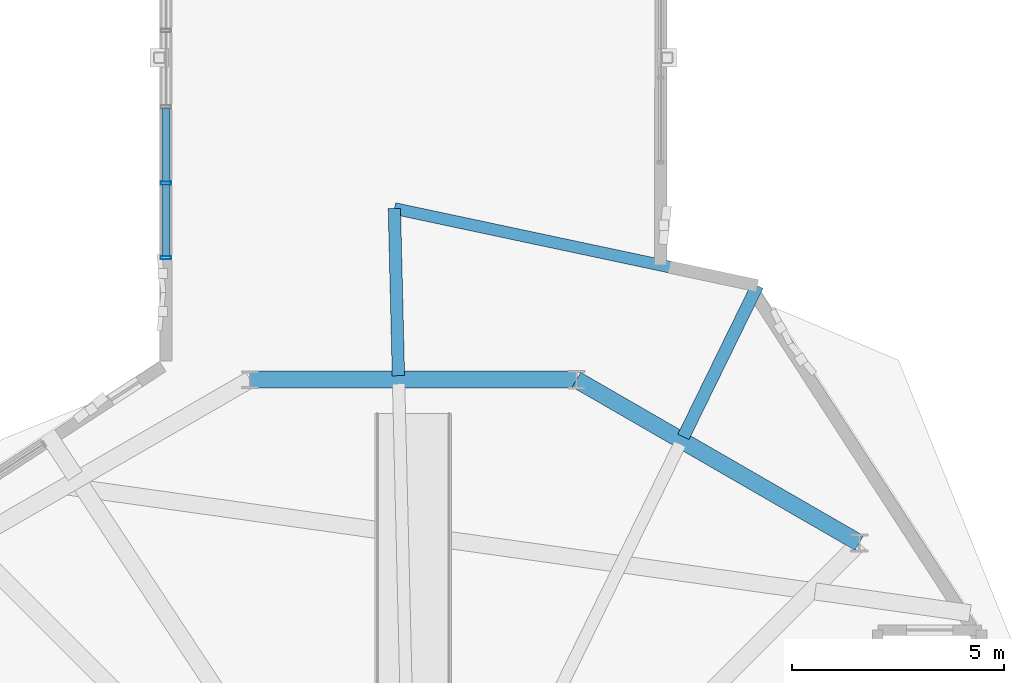
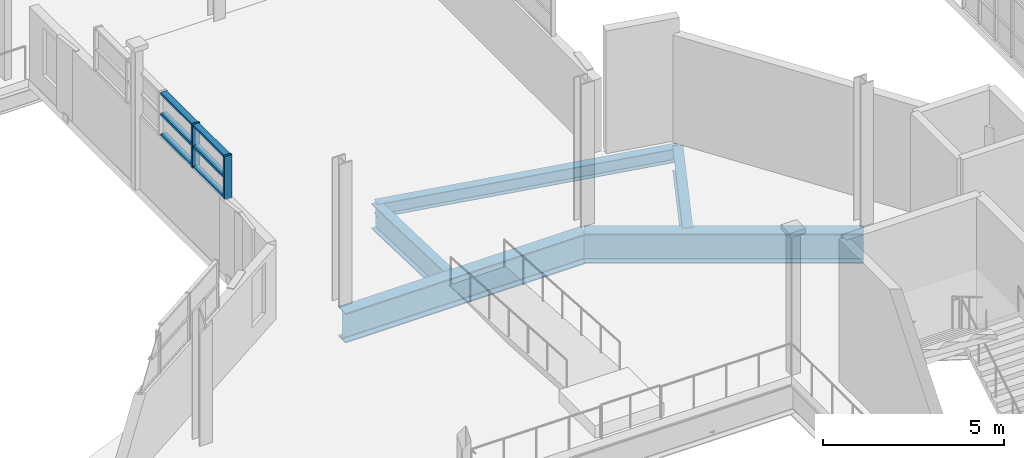
# One storey, part 41 of 118: 8 members, 5 beams, 1 element without a shape of its own.
"""IFC4 building model written with IfcOpenShell, lengths in metres."""

import ifcopenshell
import ifcopenshell.guid

model = None  # the IFC model being written
_history = None  # IfcOwnerHistory: only IFC2X3 demands one
_inside = {}  # id of a spatial element -> (the spatial element, [elements in it])
_under = {}  # id of a project, library or spatial element -> (it, [spatial elements below it])
_declared = {}  # id of a project -> (the project, [libraries it declares])
_typed = {}  # id of a type object -> (the type object, [elements of that type])
_made_of = {}  # id of a material, layer set ... -> (it, [elements and type objects made of it])


def new_model(schema):
    """Start an empty IFC model of exactly this schema.

    Asked for "IFC4X3", IfcOpenShell would pick the latest addendum, in which some entities
    have other attributes; the version numbers below select the first issue.
    IFC2X3 requires an IfcOwnerHistory on every rooted entity: one is made here for all.
    """
    global model, _history
    if schema == "IFC4X3":
        model = ifcopenshell.file(schema_version=(4, 3, 0, 0))
    else:
        model = ifcopenshell.file(schema=schema)
    _inside.clear()
    _under.clear()
    _declared.clear()
    _typed.clear()
    _made_of.clear()
    _history = None
    if model.schema == "IFC2X3":
        org = make("IfcOrganization", Name="unknown")
        user = make(
            "IfcPersonAndOrganization",
            ThePerson=make("IfcPerson", FamilyName="unknown"),
            TheOrganization=org,
        )
        app = make(
            "IfcApplication",
            ApplicationDeveloper=org,
            Version="unknown",
            ApplicationFullName="unknown",
            ApplicationIdentifier="unknown",
        )
        _history = make(
            "IfcOwnerHistory",
            OwningUser=user,
            OwningApplication=app,
            ChangeAction="ADDED",
            CreationDate=0,
        )
    return model


def make(cls, **values):
    """One entity of the class cls with the attributes given. An attribute that is None is left unset."""
    return model.create_entity(
        cls, **{name: value for name, value in values.items() if value is not None}
    )


def rooted(cls, **values):
    """An entity with a GlobalId (a new one), such as an element, a storey or a relation."""
    return make(cls, GlobalId=ifcopenshell.guid.new(), OwnerHistory=_history, **values)


def si_unit(unit_type, name, prefix=None):
    """IfcSIUnit, for example si_unit("LENGTHUNIT", "METRE", prefix="MILLI")."""
    return make("IfcSIUnit", UnitType=unit_type, Prefix=prefix, Name=name)


def assignment(units):
    """IfcUnitAssignment: the units of a project."""
    return None if units is None else make("IfcUnitAssignment", Units=units)


def point(xyz):
    """IfcCartesianPoint."""
    return None if xyz is None else make("IfcCartesianPoint", Coordinates=xyz)


def direction(xyz):
    """IfcDirection."""
    return None if xyz is None else make("IfcDirection", DirectionRatios=xyz)


def frame(location, z_axis=None, x_axis=None):
    """IfcAxis2Placement3D, a coordinate frame: its origin and axes. An axis left out is left unset."""
    return make(
        "IfcAxis2Placement3D",
        Location=point(location),
        Axis=direction(z_axis),
        RefDirection=direction(x_axis),
    )


def frame_2d(location, x_axis=None):
    """IfcAxis2Placement2D, a coordinate frame in the plane: its origin and x axis."""
    return make(
        "IfcAxis2Placement2D", Location=point(location), RefDirection=direction(x_axis)
    )


def origin():
    """The frame at (0, 0, 0) with its axes left unset."""
    return frame((0.0, 0.0, 0.0))


def origin_2d():
    """The frame at (0, 0) in the plane with its x axis left unset."""
    return frame_2d((0.0, 0.0))


def place(relative_to, where):
    """IfcLocalPlacement: puts the frame where relative to a parent placement (None: the world)."""
    return make(
        "IfcLocalPlacement", PlacementRelTo=relative_to, RelativePlacement=where
    )


def context(
    kind, dimensions, precision=None, world=None, true_north=None, identifier=None
):
    """IfcGeometricRepresentationContext, for example the 3D "Model" context."""
    return make(
        "IfcGeometricRepresentationContext",
        ContextIdentifier=identifier,
        ContextType=kind,
        CoordinateSpaceDimension=dimensions,
        Precision=precision,
        WorldCoordinateSystem=world,
        TrueNorth=true_north,
    )


def subcontext(parent, identifier, kind, view, scale=None):
    """IfcGeometricRepresentationSubContext, for example "Body" below "Model"."""
    return make(
        "IfcGeometricRepresentationSubContext",
        ContextIdentifier=identifier,
        ContextType=kind,
        ParentContext=parent,
        TargetScale=scale,
        TargetView=view,
    )


def project(units=None, contexts=None):
    """IfcProject with its units and contexts."""
    return rooted(
        "IfcProject",
        Name="project",
        RepresentationContexts=contexts,
        UnitsInContext=assignment(units),
    )


def spatial(cls, under=None, at=None, **own):
    """A site, building, storey or space (cls), placed at a placement, below another one or the project."""
    s = rooted(cls, ObjectPlacement=at, **own)
    if under is not None:
        _under.setdefault(under.id(), (under, []))[1].append(s)
    return s


def profile(cls, at=None, kind="AREA", **sizes):
    """A parametric profile (cls). Its sizes go by their IFC names, for example OverallWidth=200.0."""
    return make(cls, ProfileType=kind, Position=at, **sizes)


def hollow_rectangle(**sizes):
    """IfcRectangleHollowProfileDef."""
    return profile("IfcRectangleHollowProfileDef", **sizes)


def i_section(**sizes):
    """IfcIShapeProfileDef."""
    return profile("IfcIShapeProfileDef", **sizes)


def extrude(swept, where, along, depth):
    """IfcExtrudedAreaSolid: the profile swept, set in the frame where, extruded along a direction by depth."""
    return make(
        "IfcExtrudedAreaSolid",
        SweptArea=swept,
        Position=where,
        ExtrudedDirection=direction(along),
        Depth=depth,
    )


def shape(context_of_items, identifier, shape_type, items):
    """IfcShapeRepresentation: the items that make up one representation, for example the "Body"."""
    return make(
        "IfcShapeRepresentation",
        ContextOfItems=context_of_items,
        RepresentationIdentifier=identifier,
        RepresentationType=shape_type,
        Items=items,
    )


def material(Name=None, Category=None):
    """IfcMaterial."""
    return make("IfcMaterial", Name=Name, Category=Category)


def layer(
    of_material, thickness, ventilated=None, Name=None, Category=None, Priority=None
):
    """IfcMaterialLayer: one layer of a wall or slab, of a material (None: an air gap)."""
    return make(
        "IfcMaterialLayer",
        Material=of_material,
        LayerThickness=thickness,
        IsVentilated=ventilated,
        Name=Name,
        Category=Category,
        Priority=Priority,
    )


def layer_set(layers, Name=None):
    """IfcMaterialLayerSet."""
    return make("IfcMaterialLayerSet", MaterialLayers=layers, LayerSetName=Name)


def material_profile(
    of_material, cross_section, Name=None, Category=None, Priority=None
):
    """IfcMaterialProfile: a cross section and its material."""
    return make(
        "IfcMaterialProfile",
        Name=Name,
        Material=of_material,
        Profile=cross_section,
        Priority=Priority,
        Category=Category,
    )


def profile_set(profiles, Name=None, composite=None):
    """IfcMaterialProfileSet."""
    return make(
        "IfcMaterialProfileSet",
        Name=Name,
        MaterialProfiles=profiles,
        CompositeProfile=composite,
    )


def made_of(thing, what):
    """Note that an element or type object is made of a material, layer set ...; save() writes the relation."""
    if what is not None:
        _made_of.setdefault(what.id(), (what, []))[1].append(thing)
    return thing


def type_object(cls, material=None, **own):
    """A type object (cls), such as IfcWallType, which elements share."""
    return made_of(rooted(cls, **own), material)


def element(
    cls,
    number,
    at=None,
    inside=None,
    cuts=None,
    type_object=None,
    material=None,
    context=None,
    identifier="Body",
    shape_type=None,
    held_by="IfcProductDefinitionShape",
    body=None,
    shapes=None,
    **own,
):
    """One element of the class cls, such as IfcWall. Its Tag is "e" and its number.

    at: its placement. inside: the storey or other place that contains it. cuts: it is an
    opening in that element (IfcRelVoidsElement). A single representation is given by context,
    identifier, shape_type and body (its items); several are given by shapes. held_by: the class
    of the entity that holds the representations. save() writes the other relations.
    """
    e = rooted(cls, Tag="e%d" % number, ObjectPlacement=at, **own)
    if body is not None:
        shapes = [shape(context, identifier, shape_type, body)]
    if shapes is not None:
        e.Representation = make(held_by, Representations=shapes)
    if inside is not None:
        _inside.setdefault(inside.id(), (inside, []))[1].append(e)
    if cuts is not None:
        rooted(
            "IfcRelVoidsElement", RelatingBuildingElement=cuts, RelatedOpeningElement=e
        )
    if type_object is not None:
        _typed.setdefault(type_object.id(), (type_object, []))[1].append(e)
    return made_of(e, material)


def aggregate(whole, parts):
    """IfcRelAggregates: a whole, such as a stair, and the parts it consists of."""
    return rooted("IfcRelAggregates", RelatingObject=whole, RelatedObjects=parts)


def save(model, path):
    """Write the relations noted so far, then the file.

    IfcRelAggregates (storeys below a building ...), IfcRelContainedInSpatialStructure (elements
    in a storey), IfcRelDefinesByType, IfcRelAssociatesMaterial and IfcRelDeclares: one each for
    every whole, place, type object, material and project.
    """
    for whole, parts in _under.values():
        aggregate(whole, parts)
    for where, things in _inside.values():
        rooted(
            "IfcRelContainedInSpatialStructure",
            RelatedElements=things,
            RelatingStructure=where,
        )
    for kind, things in _typed.values():
        rooted("IfcRelDefinesByType", RelatedObjects=things, RelatingType=kind)
    for what, things in _made_of.values():
        rooted("IfcRelAssociatesMaterial", RelatedObjects=things, RelatingMaterial=what)
    for by, libraries in _declared.values():
        rooted("IfcRelDeclares", RelatingContext=by, RelatedDefinitions=libraries)
    model.write(path)


model = new_model("IFC4")

# Units and contexts
model_context = context("Model", 3, precision=1e-05, world=origin(), true_north=direction((0.0, 1.0)))
body_context = subcontext(model_context, "Body", "Model", "MODEL_VIEW")
ifc_project = project(units=[si_unit("LENGTHUNIT", "METRE"), si_unit("AREAUNIT", "SQUARE_METRE"), si_unit("VOLUMEUNIT", "CUBIC_METRE"), si_unit("PLANEANGLEUNIT", "RADIAN"), si_unit("MASSUNIT", "GRAM", prefix="KILO"), si_unit("THERMODYNAMICTEMPERATUREUNIT", "KELVIN"), si_unit("POWERUNIT", "WATT")], contexts=[model_context])

# Site, building, storey
site_placement = place(None, origin())
site = spatial("IfcSite", under=ifc_project, at=site_placement, CompositionType="ELEMENT")
building_placement = place(site_placement, origin())
building = spatial("IfcBuilding", under=site, at=building_placement, Name="Zelmaris Science Centre", CompositionType="ELEMENT")
storey_placement = place(building_placement, frame((0.0, 0.0, 15.60009765625)))
storey = spatial("IfcBuildingStorey", under=building, at=storey_placement, Name="L03", CompositionType="ELEMENT", Elevation=15.60009765625)

# Curtain wall, members
ifc_material_1 = material(Name="Anodised architectural aluminium 6063-T6", Category="aluminium")
ifc_layer = layer(ifc_material_1, 0.18994140625, Name="Anodised architectural aluminium 6063-T6")
ifc_layer_set = layer_set([ifc_layer], Name="Anodised architectural aluminium 6063-T6")
curtain_wall_type = type_object("IfcCurtainWallType", Name="Curtain Wall CW-01", PredefinedType="USERDEFINED", material=ifc_layer_set)
curtain_wall_placement = place(storey_placement, origin())
curtain_wall = element("IfcCurtainWall", 1, at=curtain_wall_placement, inside=storey, type_object=curtain_wall_type, Name="L03 Clerestory curtain wall 317", ObjectType="GLAZED CURTAIN WALL", PredefinedType="USERDEFINED")
ifc_material_profile_1 = material_profile(ifc_material_1, hollow_rectangle(XDim=0.080078125, YDim=0.25, WallThickness=0.0048828125, at=origin_2d()), Name="ALU-MUL-80X250")
ifc_profile_set_1 = profile_set([ifc_material_profile_1], Name="Anodised architectural aluminium 6063-T6")
member_type_1 = type_object("IfcMemberType", Name="ALU-MUL-80X250", PredefinedType="MULLION", material=ifc_profile_set_1)
member_1_placement = place(storey_placement, frame((75.1552734375, 53.275146484375, 2.419921875), z_axis=(0.0, 0.0, 1.0), x_axis=(8.726646e-06, 0.999999999962, 0.0)))
member_1 = element("IfcMember", 2, at=member_1_placement, type_object=member_type_1, Name="CW-01 mullion 1", PredefinedType="MULLION", context=body_context, shape_type="SweptSolid", body=[
    extrude(hollow_rectangle(XDim=0.080078125, YDim=0.25, WallThickness=0.0048828125, at=origin_2d()), origin(), (0.0, 0.0, 1.0), 1.470947265625),
])
member_2_placement = place(storey_placement, frame((75.1552734375, 55.0390625, 2.419921875), z_axis=(0.0, 0.0, 1.0), x_axis=(8.726646e-06, 0.999999999962, 0.0)))
member_2 = element("IfcMember", 3, at=member_2_placement, type_object=member_type_1, Name="CW-01 mullion 2", PredefinedType="MULLION", context=body_context, shape_type="SweptSolid", body=[
    extrude(hollow_rectangle(XDim=0.080078125, YDim=0.25, WallThickness=0.0048828125, at=origin_2d()), origin(), (0.0, 0.0, 1.0), 1.470947265625),
])
ifc_material_profile_2 = material_profile(ifc_material_1, hollow_rectangle(XDim=0.080078125, YDim=0.18994140625, WallThickness=0.00439453125, at=origin_2d()), Name="ALU-TRN-80X190")
ifc_profile_set_2 = profile_set([ifc_material_profile_2], Name="Anodised architectural aluminium 6063-T6")
member_type_2 = type_object("IfcMemberType", Name="ALU-TRN-80X190", PredefinedType="USERDEFINED", material=ifc_profile_set_2)
member_3_placement = place(storey_placement, frame((75.1552734375, 53.31103515625, 2.455810546875), z_axis=(0.0, 1.0, 0.0), x_axis=(0.0, 0.0, 1.0)))
member_3 = element("IfcMember", 4, at=member_3_placement, type_object=member_type_2, Name="CW-01 transom 1.1", ObjectType="TRANSOM", PredefinedType="USERDEFINED", context=body_context, shape_type="SweptSolid", body=[
    extrude(hollow_rectangle(XDim=0.080078125, YDim=0.18994140625, WallThickness=0.00439453125, at=origin_2d()), origin(), (0.0, 0.0, 1.0), 1.692138671875),
])
member_4_placement = place(storey_placement, frame((75.1552734375, 53.31103515625, 3.155517578125), z_axis=(0.0, 1.0, 0.0), x_axis=(0.0, 0.0, 1.0)))
member_4 = element("IfcMember", 5, at=member_4_placement, type_object=member_type_2, Name="CW-01 transom 1.2", ObjectType="TRANSOM", PredefinedType="USERDEFINED", context=body_context, shape_type="SweptSolid", body=[
    extrude(hollow_rectangle(XDim=0.080078125, YDim=0.18994140625, WallThickness=0.00439453125, at=origin_2d()), origin(), (0.0, 0.0, 1.0), 1.692138671875),
])
member_5_placement = place(storey_placement, frame((75.1552734375, 53.31103515625, 3.85498046875), z_axis=(0.0, 1.0, 0.0), x_axis=(0.0, 0.0, 1.0)))
member_5 = element("IfcMember", 6, at=member_5_placement, type_object=member_type_2, Name="CW-01 transom 1.3", ObjectType="TRANSOM", PredefinedType="USERDEFINED", context=body_context, shape_type="SweptSolid", body=[
    extrude(hollow_rectangle(XDim=0.080078125, YDim=0.18994140625, WallThickness=0.00439453125, at=origin_2d()), origin(), (0.0, 0.0, 1.0), 1.692138671875),
])
member_6_placement = place(storey_placement, frame((75.1552734375, 55.0751953125, 2.455810546875), z_axis=(0.0, 1.0, 0.0), x_axis=(0.0, 0.0, 1.0)))
member_6 = element("IfcMember", 7, at=member_6_placement, type_object=member_type_2, Name="CW-01 transom 2.1", ObjectType="TRANSOM", PredefinedType="USERDEFINED", context=body_context, shape_type="SweptSolid", body=[
    extrude(hollow_rectangle(XDim=0.080078125, YDim=0.18994140625, WallThickness=0.00439453125, at=origin_2d()), origin(), (0.0, 0.0, 1.0), 1.727783203125),
])
member_7_placement = place(storey_placement, frame((75.1552734375, 55.0751953125, 3.155517578125), z_axis=(0.0, 1.0, 0.0), x_axis=(0.0, 0.0, 1.0)))
member_7 = element("IfcMember", 8, at=member_7_placement, type_object=member_type_2, Name="CW-01 transom 2.2", ObjectType="TRANSOM", PredefinedType="USERDEFINED", context=body_context, shape_type="SweptSolid", body=[
    extrude(hollow_rectangle(XDim=0.080078125, YDim=0.18994140625, WallThickness=0.00439453125, at=origin_2d()), origin(), (0.0, 0.0, 1.0), 1.727783203125),
])
member_8_placement = place(storey_placement, frame((75.1552734375, 55.0751953125, 3.85498046875), z_axis=(0.0, 1.0, 0.0), x_axis=(0.0, 0.0, 1.0)))
member_8 = element("IfcMember", 9, at=member_8_placement, type_object=member_type_2, Name="CW-01 transom 2.3", ObjectType="TRANSOM", PredefinedType="USERDEFINED", context=body_context, shape_type="SweptSolid", body=[
    extrude(hollow_rectangle(XDim=0.080078125, YDim=0.18994140625, WallThickness=0.00439453125, at=origin_2d()), origin(), (0.0, 0.0, 1.0), 1.727783203125),
])
aggregate(curtain_wall, [member_1, member_2, member_3, member_4, member_5, member_6, member_7, member_8])

# Beams
ifc_material_2 = material(Name="Steel ASTM A992 Grade 50", Category="steel")
ifc_material_profile_3 = material_profile(ifc_material_2, i_section(OverallWidth=0.294921875, OverallDepth=0.85107421875, WebThickness=0.01611328125, FlangeThickness=0.02685546875, FilletRadius=0.02001953125, at=origin_2d()), Name="W33X152")
ifc_profile_set_3 = profile_set([ifc_material_profile_3], Name="Steel ASTM A992 Grade 50")
beam_type_1 = type_object("IfcBeamType", Name="Beam G-06 W33X152", PredefinedType="BEAM", material=ifc_profile_set_3)
beam_1_placement = place(storey_placement, frame((87.38330078125, 49.042724609375, -0.70556640625), z_axis=(0.439558134561, 0.898214142809, 0.0), x_axis=(-0.898214142809, 0.439558134561, 0.0)))
element("IfcBeam", 10, at=beam_1_placement, inside=storey, type_object=beam_type_1, Name="L03 Radial overhang girder 6", PredefinedType="BEAM", context=body_context, shape_type="SweptSolid", body=[
    extrude(i_section(OverallWidth=0.294921875, OverallDepth=0.85107421875, WebThickness=0.01611328125, FlangeThickness=0.02685546875, FilletRadius=0.02001953125, at=origin_2d()), origin(), (0.0, 0.0, 1.0), 3.975830078125),
])
ifc_material_profile_4 = material_profile(ifc_material_2, i_section(OverallWidth=0.40087890625, OverallDepth=1.0009765625, WebThickness=0.01904296875, FlangeThickness=0.0361328125, FilletRadius=0.02490234375, at=origin_2d()), Name="W40X249")
ifc_profile_set_4 = profile_set([ifc_material_profile_4], Name="Steel ASTM A992 Grade 50")
beam_type_2 = type_object("IfcBeamType", Name="Beam G-22 W40X249", PredefinedType="BEAM", material=ifc_profile_set_4)
for number, where, z_axis, x_axis, name in (
    (11, (91.535888671875, 46.535888671875, -0.780517578125), (-0.866021648359, 0.500006504531, 0.0), (-0.500006504531, -0.866021648359, 0.0), "L03 Exhibition inner ring girder 2"),
    (12, (84.8564453125, 50.392333984375, -0.780517578125), (-1.0, 0.0, 0.0), (0.0, -1.0, 0.0), "L03 Exhibition inner ring girder 3"),
):
    element("IfcBeam", number, at=place(storey_placement, frame(where, z_axis=z_axis, x_axis=x_axis)), inside=storey, type_object=beam_type_2, Name=name, PredefinedType="BEAM", context=body_context, shape_type="SweptSolid", body=[
        extrude(i_section(OverallWidth=0.40087890625, OverallDepth=1.0009765625, WebThickness=0.01904296875, FlangeThickness=0.0361328125, FilletRadius=0.02490234375, at=origin_2d()), origin(), (0.0, 0.0, 1.0), 7.712890625),
    ])
ifc_material_profile_5 = material_profile(ifc_material_2, i_section(OverallWidth=0.2919921875, OverallDepth=0.85888671875, WebThickness=0.01708984375, FlangeThickness=0.031005859375, FilletRadius=0.02001953125, at=origin_2d()), Name="W33X169")
ifc_profile_set_5 = profile_set([ifc_material_profile_5], Name="Steel ASTM A992 Grade 50")
beam_type_3 = type_object("IfcBeamType", Name="Beam G-29 W33X169", PredefinedType="BEAM", material=ifc_profile_set_5)
beam_2_placement = place(storey_placement, frame((80.649658203125, 50.4873046875, -0.709716796875), z_axis=(-0.024163061134, 0.999708030615, 0.0), x_axis=(-0.999708030615, -0.024163061134, 0.0)))
element("IfcBeam", 13, at=beam_2_placement, inside=storey, type_object=beam_type_3, Name="L03 Radial overhang girder 7", PredefinedType="BEAM", context=body_context, shape_type="SweptSolid", body=[
    extrude(i_section(OverallWidth=0.2919921875, OverallDepth=0.85888671875, WebThickness=0.01708984375, FlangeThickness=0.031005859375, FilletRadius=0.02001953125, at=origin_2d()), origin(), (0.0, 0.0, 1.0), 3.95068359375),
])
ifc_material_profile_6 = material_profile(ifc_material_2, i_section(OverallWidth=0.279052734375, OverallDepth=0.4619140625, WebThickness=0.0107421875, FlangeThickness=0.017333984375, FilletRadius=0.012939453125, at=origin_2d()), Name="W18X76")
ifc_profile_set_6 = profile_set([ifc_material_profile_6], Name="Steel ASTM A992 Grade 50")
beam_type_4 = type_object("IfcBeamType", Name="Beam SP-03 W18X76", PredefinedType="SPANDREL", material=ifc_profile_set_6)
beam_3_placement = place(storey_placement, frame((89.130859375, 52.61376953125, -0.510986328125), z_axis=(-0.978148234997, 0.207908706824, 0.0), x_axis=(-0.207908706824, -0.978148234997, 0.0)))
element("IfcBeam", 14, at=beam_3_placement, inside=storey, type_object=beam_type_4, Name="L03 Rotated facade spandrel beam 2", PredefinedType="SPANDREL", context=body_context, shape_type="SweptSolid", body=[
    extrude(i_section(OverallWidth=0.279052734375, OverallDepth=0.4619140625, WebThickness=0.0107421875, FlangeThickness=0.017333984375, FilletRadius=0.012939453125, at=origin_2d()), origin(), (0.0, 0.0, 1.0), 8.768310546875),
])

save(model, "model.ifc")
